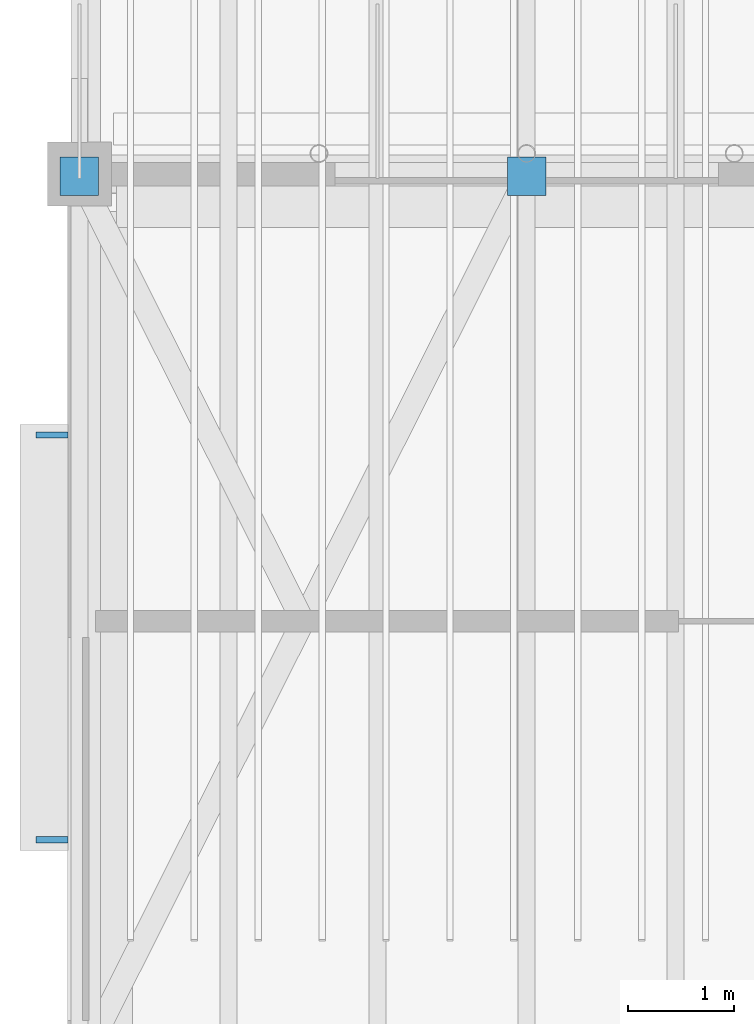
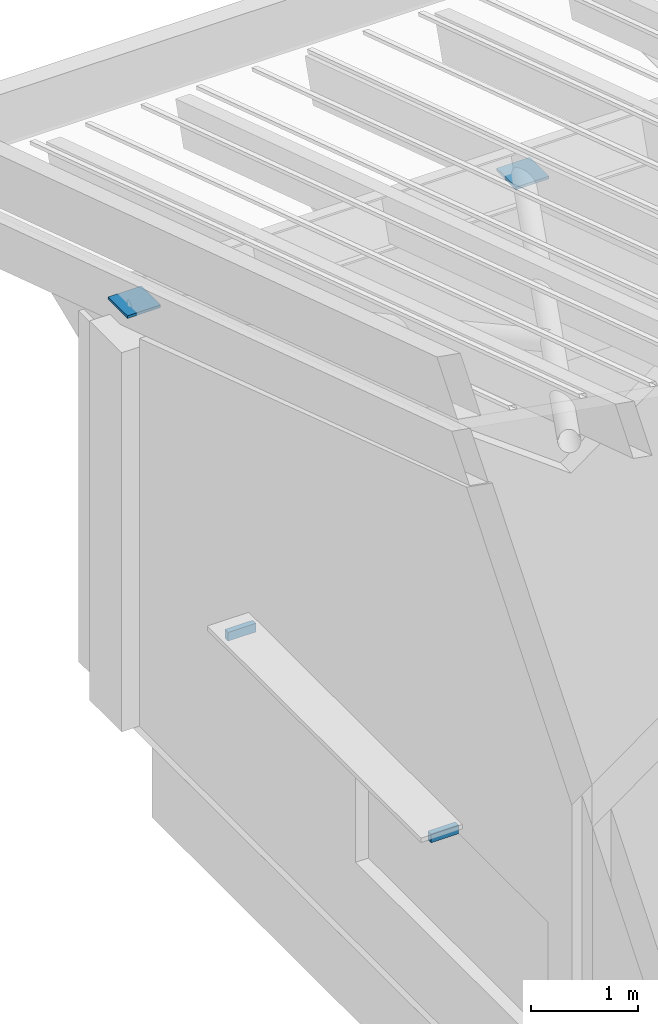
# One storey, part 31 of 59: 4 discrete accessories.
"""IFC4 building model written with IfcOpenShell, lengths in metres."""

from ifc_helpers import new_model, si_unit, direction, frame, origin, origin_2d, place, context, subcontext, project, spatial, rectangle, extrude, material, type_object, element, save


model = new_model("IFC4")

# Units and contexts
model_context = context("Model", 3, precision=1e-05, world=origin(), true_north=direction((0.0, 1.0)))
body_context = subcontext(model_context, "Body", "Model", "MODEL_VIEW")
ifc_project = project(units=[si_unit("LENGTHUNIT", "METRE"), si_unit("AREAUNIT", "SQUARE_METRE"), si_unit("VOLUMEUNIT", "CUBIC_METRE"), si_unit("PLANEANGLEUNIT", "RADIAN"), si_unit("MASSUNIT", "GRAM", prefix="KILO")], contexts=[model_context])

# Site, building, storey
site_placement = place(None, origin())
site = spatial("IfcSite", under=ifc_project, at=site_placement, CompositionType="ELEMENT")
building_placement = place(site_placement, origin())
building = spatial("IfcBuilding", under=site, at=building_placement, Name="Almond Square Museum", CompositionType="ELEMENT")
storey_placement = place(building_placement, frame((0.0, 0.0, 25.0)))
storey = spatial("IfcBuildingStorey", under=building, at=storey_placement, Name="L04", CompositionType="ELEMENT", Elevation=25.0)

# Discrete accessories
ifc_material_1 = material(Name="Structural steel S355", Category="steel")
discrete_accessory_type_1 = type_object("IfcDiscreteAccessoryType", Name="Brace end plate", PredefinedType="BRACKET", material=ifc_material_1)
for number, where, z_axis, x_axis, name in (
    (1, (10.199951171875, 16.780029296875, 4.62353515625), (0.0, 0.0, 1.0), (1.0, 0.0, 0.0), "Brace end plate"),
    (2, (6.0, 16.780029296875, 4.62353515625), (0.0, 0.0, 1.0), (1.0, 0.0, 0.0), "Brace end plate"),
):
    element("IfcDiscreteAccessory", number, at=place(storey_placement, frame(where, z_axis=z_axis, x_axis=x_axis)), inside=storey, type_object=discrete_accessory_type_1, Name=name, PredefinedType="BRACKET", context=body_context, shape_type="SweptSolid", body=[
        extrude(rectangle(XDim=0.360107421875, YDim=0.360107421875, at=origin_2d()), origin(), (0.0, 0.0, 1.0), 0.030029296875),
    ])
ifc_material_2 = material(Name="Stainless steel", Category="steel")
discrete_accessory_type_2 = type_object("IfcDiscreteAccessoryType", Name="Sun-shade blade bracket", PredefinedType="BRACKET", material=ifc_material_2)
for number, where, z_axis, x_axis, name in (
    (3, (5.741943359375, 10.550048828125, 2.39697265625), (0.0, 0.0, 1.0), (1.0, 0.0, 0.0), "Bracket sun-shade blade"),
    (4, (5.741943359375, 14.35009765625, 2.39697265625), (0.0, 0.0, 1.0), (1.0, 0.0, 0.0), "Bracket sun-shade blade"),
):
    element("IfcDiscreteAccessory", number, at=place(storey_placement, frame(where, z_axis=z_axis, x_axis=x_axis)), inside=storey, type_object=discrete_accessory_type_2, Name=name, PredefinedType="BRACKET", context=body_context, shape_type="SweptSolid", body=[
        extrude(rectangle(XDim=0.300048828125, YDim=0.06005859375, at=origin_2d()), origin(), (0.0, 0.0, 1.0), 0.10009765625),
    ])

save(model, "model.ifc")
